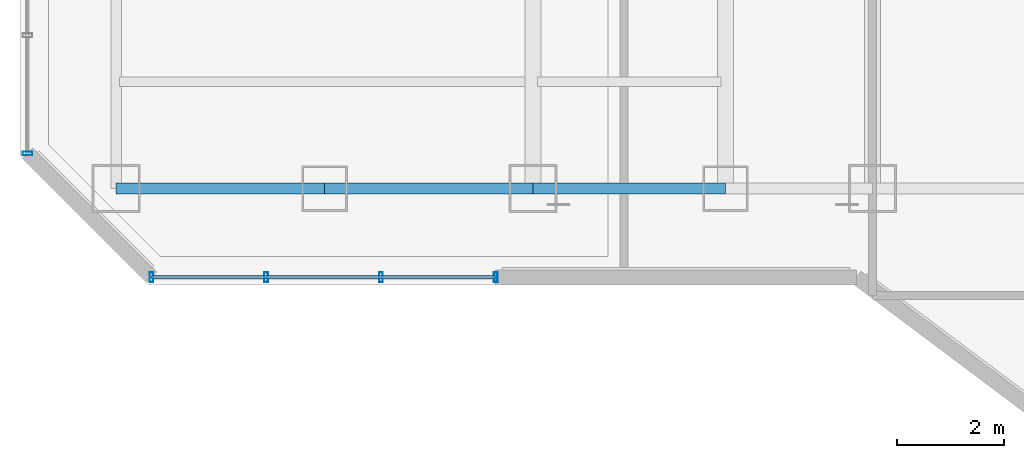
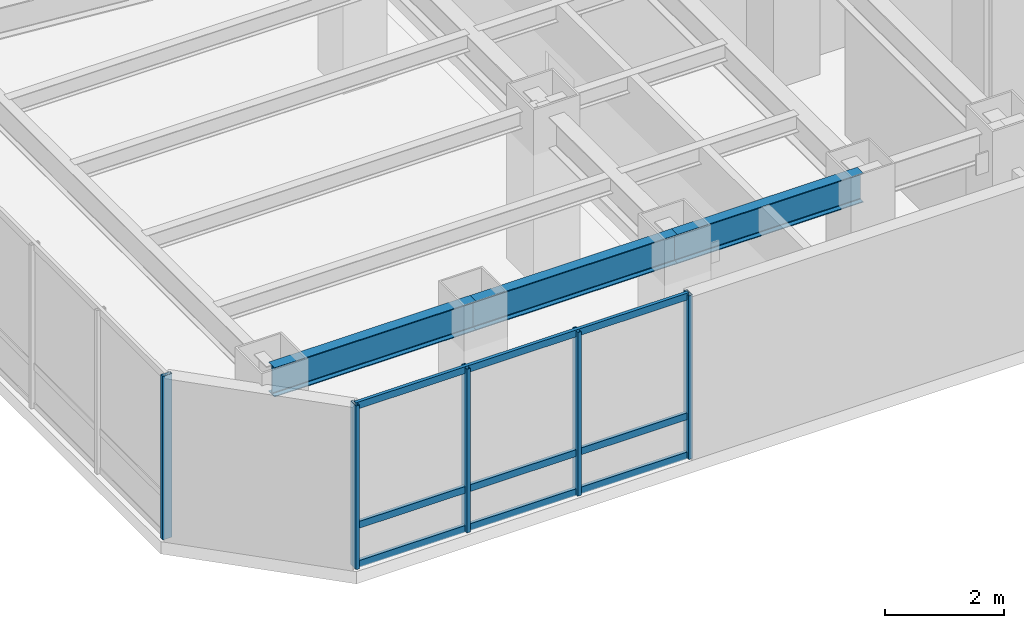
# One storey, part 2 of 29: 8 members, 3 beams, 2 elements without a shape of their own.
"""IFC4 building model written with IfcOpenShell, lengths in metres."""

import ifcopenshell
import ifcopenshell.guid

model = None  # the IFC model being written
_history = None  # IfcOwnerHistory: only IFC2X3 demands one
_inside = {}  # id of a spatial element -> (the spatial element, [elements in it])
_under = {}  # id of a project, library or spatial element -> (it, [spatial elements below it])
_declared = {}  # id of a project -> (the project, [libraries it declares])
_typed = {}  # id of a type object -> (the type object, [elements of that type])
_made_of = {}  # id of a material, layer set ... -> (it, [elements and type objects made of it])


def new_model(schema):
    """Start an empty IFC model of exactly this schema.

    Asked for "IFC4X3", IfcOpenShell would pick the latest addendum, in which some entities
    have other attributes; the version numbers below select the first issue.
    IFC2X3 requires an IfcOwnerHistory on every rooted entity: one is made here for all.
    """
    global model, _history
    if schema == "IFC4X3":
        model = ifcopenshell.file(schema_version=(4, 3, 0, 0))
    else:
        model = ifcopenshell.file(schema=schema)
    _inside.clear()
    _under.clear()
    _declared.clear()
    _typed.clear()
    _made_of.clear()
    _history = None
    if model.schema == "IFC2X3":
        org = make("IfcOrganization", Name="unknown")
        user = make(
            "IfcPersonAndOrganization",
            ThePerson=make("IfcPerson", FamilyName="unknown"),
            TheOrganization=org,
        )
        app = make(
            "IfcApplication",
            ApplicationDeveloper=org,
            Version="unknown",
            ApplicationFullName="unknown",
            ApplicationIdentifier="unknown",
        )
        _history = make(
            "IfcOwnerHistory",
            OwningUser=user,
            OwningApplication=app,
            ChangeAction="ADDED",
            CreationDate=0,
        )
    return model


def make(cls, **values):
    """One entity of the class cls with the attributes given. An attribute that is None is left unset."""
    return model.create_entity(
        cls, **{name: value for name, value in values.items() if value is not None}
    )


def rooted(cls, **values):
    """An entity with a GlobalId (a new one), such as an element, a storey or a relation."""
    return make(cls, GlobalId=ifcopenshell.guid.new(), OwnerHistory=_history, **values)


def si_unit(unit_type, name, prefix=None):
    """IfcSIUnit, for example si_unit("LENGTHUNIT", "METRE", prefix="MILLI")."""
    return make("IfcSIUnit", UnitType=unit_type, Prefix=prefix, Name=name)


def assignment(units):
    """IfcUnitAssignment: the units of a project."""
    return None if units is None else make("IfcUnitAssignment", Units=units)


def point(xyz):
    """IfcCartesianPoint."""
    return None if xyz is None else make("IfcCartesianPoint", Coordinates=xyz)


def direction(xyz):
    """IfcDirection."""
    return None if xyz is None else make("IfcDirection", DirectionRatios=xyz)


def frame(location, z_axis=None, x_axis=None):
    """IfcAxis2Placement3D, a coordinate frame: its origin and axes. An axis left out is left unset."""
    return make(
        "IfcAxis2Placement3D",
        Location=point(location),
        Axis=direction(z_axis),
        RefDirection=direction(x_axis),
    )


def frame_2d(location, x_axis=None):
    """IfcAxis2Placement2D, a coordinate frame in the plane: its origin and x axis."""
    return make(
        "IfcAxis2Placement2D", Location=point(location), RefDirection=direction(x_axis)
    )


def origin():
    """The frame at (0, 0, 0) with its axes left unset."""
    return frame((0.0, 0.0, 0.0))


def origin_2d():
    """The frame at (0, 0) in the plane with its x axis left unset."""
    return frame_2d((0.0, 0.0))


def place(relative_to, where):
    """IfcLocalPlacement: puts the frame where relative to a parent placement (None: the world)."""
    return make(
        "IfcLocalPlacement", PlacementRelTo=relative_to, RelativePlacement=where
    )


def context(
    kind, dimensions, precision=None, world=None, true_north=None, identifier=None
):
    """IfcGeometricRepresentationContext, for example the 3D "Model" context."""
    return make(
        "IfcGeometricRepresentationContext",
        ContextIdentifier=identifier,
        ContextType=kind,
        CoordinateSpaceDimension=dimensions,
        Precision=precision,
        WorldCoordinateSystem=world,
        TrueNorth=true_north,
    )


def subcontext(parent, identifier, kind, view, scale=None):
    """IfcGeometricRepresentationSubContext, for example "Body" below "Model"."""
    return make(
        "IfcGeometricRepresentationSubContext",
        ContextIdentifier=identifier,
        ContextType=kind,
        ParentContext=parent,
        TargetScale=scale,
        TargetView=view,
    )


def project(units=None, contexts=None):
    """IfcProject with its units and contexts."""
    return rooted(
        "IfcProject",
        Name="project",
        RepresentationContexts=contexts,
        UnitsInContext=assignment(units),
    )


def spatial(cls, under=None, at=None, **own):
    """A site, building, storey or space (cls), placed at a placement, below another one or the project."""
    s = rooted(cls, ObjectPlacement=at, **own)
    if under is not None:
        _under.setdefault(under.id(), (under, []))[1].append(s)
    return s


def profile(cls, at=None, kind="AREA", **sizes):
    """A parametric profile (cls). Its sizes go by their IFC names, for example OverallWidth=200.0."""
    return make(cls, ProfileType=kind, Position=at, **sizes)


def hollow_rectangle(**sizes):
    """IfcRectangleHollowProfileDef."""
    return profile("IfcRectangleHollowProfileDef", **sizes)


def i_section(**sizes):
    """IfcIShapeProfileDef."""
    return profile("IfcIShapeProfileDef", **sizes)


def extrude(swept, where, along, depth):
    """IfcExtrudedAreaSolid: the profile swept, set in the frame where, extruded along a direction by depth."""
    return make(
        "IfcExtrudedAreaSolid",
        SweptArea=swept,
        Position=where,
        ExtrudedDirection=direction(along),
        Depth=depth,
    )


def shape(context_of_items, identifier, shape_type, items):
    """IfcShapeRepresentation: the items that make up one representation, for example the "Body"."""
    return make(
        "IfcShapeRepresentation",
        ContextOfItems=context_of_items,
        RepresentationIdentifier=identifier,
        RepresentationType=shape_type,
        Items=items,
    )


def material(Name=None, Category=None):
    """IfcMaterial."""
    return make("IfcMaterial", Name=Name, Category=Category)


def layer(
    of_material, thickness, ventilated=None, Name=None, Category=None, Priority=None
):
    """IfcMaterialLayer: one layer of a wall or slab, of a material (None: an air gap)."""
    return make(
        "IfcMaterialLayer",
        Material=of_material,
        LayerThickness=thickness,
        IsVentilated=ventilated,
        Name=Name,
        Category=Category,
        Priority=Priority,
    )


def layer_set(layers, Name=None):
    """IfcMaterialLayerSet."""
    return make("IfcMaterialLayerSet", MaterialLayers=layers, LayerSetName=Name)


def material_profile(
    of_material, cross_section, Name=None, Category=None, Priority=None
):
    """IfcMaterialProfile: a cross section and its material."""
    return make(
        "IfcMaterialProfile",
        Name=Name,
        Material=of_material,
        Profile=cross_section,
        Priority=Priority,
        Category=Category,
    )


def profile_set(profiles, Name=None, composite=None):
    """IfcMaterialProfileSet."""
    return make(
        "IfcMaterialProfileSet",
        Name=Name,
        MaterialProfiles=profiles,
        CompositeProfile=composite,
    )


def made_of(thing, what):
    """Note that an element or type object is made of a material, layer set ...; save() writes the relation."""
    if what is not None:
        _made_of.setdefault(what.id(), (what, []))[1].append(thing)
    return thing


def type_object(cls, material=None, **own):
    """A type object (cls), such as IfcWallType, which elements share."""
    return made_of(rooted(cls, **own), material)


def element(
    cls,
    number,
    at=None,
    inside=None,
    cuts=None,
    type_object=None,
    material=None,
    context=None,
    identifier="Body",
    shape_type=None,
    held_by="IfcProductDefinitionShape",
    body=None,
    shapes=None,
    **own,
):
    """One element of the class cls, such as IfcWall. Its Tag is "e" and its number.

    at: its placement. inside: the storey or other place that contains it. cuts: it is an
    opening in that element (IfcRelVoidsElement). A single representation is given by context,
    identifier, shape_type and body (its items); several are given by shapes. held_by: the class
    of the entity that holds the representations. save() writes the other relations.
    """
    e = rooted(cls, Tag="e%d" % number, ObjectPlacement=at, **own)
    if body is not None:
        shapes = [shape(context, identifier, shape_type, body)]
    if shapes is not None:
        e.Representation = make(held_by, Representations=shapes)
    if inside is not None:
        _inside.setdefault(inside.id(), (inside, []))[1].append(e)
    if cuts is not None:
        rooted(
            "IfcRelVoidsElement", RelatingBuildingElement=cuts, RelatedOpeningElement=e
        )
    if type_object is not None:
        _typed.setdefault(type_object.id(), (type_object, []))[1].append(e)
    return made_of(e, material)


def aggregate(whole, parts):
    """IfcRelAggregates: a whole, such as a stair, and the parts it consists of."""
    return rooted("IfcRelAggregates", RelatingObject=whole, RelatedObjects=parts)


def save(model, path):
    """Write the relations noted so far, then the file.

    IfcRelAggregates (storeys below a building ...), IfcRelContainedInSpatialStructure (elements
    in a storey), IfcRelDefinesByType, IfcRelAssociatesMaterial and IfcRelDeclares: one each for
    every whole, place, type object, material and project.
    """
    for whole, parts in _under.values():
        aggregate(whole, parts)
    for where, things in _inside.values():
        rooted(
            "IfcRelContainedInSpatialStructure",
            RelatedElements=things,
            RelatingStructure=where,
        )
    for kind, things in _typed.values():
        rooted("IfcRelDefinesByType", RelatedObjects=things, RelatingType=kind)
    for what, things in _made_of.values():
        rooted("IfcRelAssociatesMaterial", RelatedObjects=things, RelatingMaterial=what)
    for by, libraries in _declared.values():
        rooted("IfcRelDeclares", RelatingContext=by, RelatedDefinitions=libraries)
    model.write(path)


model = new_model("IFC4")

# Units and contexts
model_context = context("Model", 3, precision=1e-05, world=origin(), true_north=direction((0.0, 1.0)))
body_context = subcontext(model_context, "Body", "Model", "MODEL_VIEW")
ifc_project = project(units=[si_unit("LENGTHUNIT", "METRE"), si_unit("AREAUNIT", "SQUARE_METRE"), si_unit("VOLUMEUNIT", "CUBIC_METRE"), si_unit("PLANEANGLEUNIT", "RADIAN"), si_unit("MASSUNIT", "GRAM", prefix="KILO")], contexts=[model_context])

# Site, building, storey
site_placement = place(None, origin())
site = spatial("IfcSite", under=ifc_project, at=site_placement, CompositionType="ELEMENT")
building_placement = place(site_placement, origin())
building = spatial("IfcBuilding", under=site, at=building_placement, Name="Hatsunagi Terrace Concourse", CompositionType="ELEMENT")
storey_placement = place(building_placement, frame((0.0, 0.0, 115.64990234375)))
storey = spatial("IfcBuildingStorey", under=building, at=storey_placement, Name="L30", CompositionType="ELEMENT", Elevation=115.64990234375)

# Curtain wall, members
ifc_material_1 = material(Name="Anodised Aluminium Alloy 6063-T5", Category="aluminium")
ifc_layer = layer(ifc_material_1, 0.199951171875)
ifc_layer_set = layer_set([ifc_layer], Name="OfficeZone1_CW03")
curtain_wall_type = type_object("IfcCurtainWallType", Name="OfficeZone1_CW03", PredefinedType="NOTDEFINED", material=ifc_layer_set)
curtain_wall_1_placement = place(storey_placement, origin())
curtain_wall_1 = element("IfcCurtainWall", 1, at=curtain_wall_1_placement, inside=storey, type_object=curtain_wall_type, Name="Unitised Curtain Wall CW-03 CW-L30-07", PredefinedType="NOTDEFINED")
ifc_material_2 = material(Name="Anodised Aluminium Alloy 6063-T5", Category="aluminium")
ifc_material_profile_1 = material_profile(ifc_material_2, hollow_rectangle(XDim=0.070068359375, YDim=0.179931640625, WallThickness=0.00390625, at=origin_2d()), Name="ALU-MUL-180x70x4")
ifc_profile_set_1 = profile_set([ifc_material_profile_1], Name="Anodised Aluminium Alloy 6063-T5")
member_type_1 = type_object("IfcMemberType", Name="CurtainWallMullion_180x70", PredefinedType="MULLION", material=ifc_profile_set_1)
member_1_placement = place(storey_placement, frame((18.5, 23.5400390625, 0.0), z_axis=(0.0, 0.0, 1.0), x_axis=(-1.0, 0.0, 0.0)))
member_1 = element("IfcMember", 2, at=member_1_placement, type_object=member_type_1, Name="Curtain Wall Mullion MUL-02", PredefinedType="MULLION", context=body_context, shape_type="SweptSolid", body=[
    extrude(hollow_rectangle(XDim=0.070068359375, YDim=0.179931640625, WallThickness=0.00390625, at=origin_2d()), origin(), (0.0, 0.0, 1.0), 3.35009765625),
])
member_2_placement = place(storey_placement, frame((16.35302734375, 23.5400390625, 0.0), z_axis=(0.0, 0.0, 1.0), x_axis=(-1.0, 0.0, 0.0)))
member_2 = element("IfcMember", 3, at=member_2_placement, type_object=member_type_1, Name="Curtain Wall Mullion MUL-02", PredefinedType="MULLION", context=body_context, shape_type="SweptSolid", body=[
    extrude(hollow_rectangle(XDim=0.070068359375, YDim=0.179931640625, WallThickness=0.00390625, at=origin_2d()), origin(), (0.0, 0.0, 1.0), 3.35009765625),
])
member_3_placement = place(storey_placement, frame((14.205078125, 23.5400390625, 0.0), z_axis=(0.0, 0.0, 1.0), x_axis=(-1.0, 0.0, 0.0)))
member_3 = element("IfcMember", 4, at=member_3_placement, type_object=member_type_1, Name="Curtain Wall Mullion MUL-02", PredefinedType="MULLION", context=body_context, shape_type="SweptSolid", body=[
    extrude(hollow_rectangle(XDim=0.070068359375, YDim=0.179931640625, WallThickness=0.00390625, at=origin_2d()), origin(), (0.0, 0.0, 1.0), 3.35009765625),
])
member_4_placement = place(storey_placement, frame((12.05810546875, 23.5400390625, 0.0), z_axis=(0.0, 0.0, 1.0), x_axis=(-1.0, 0.0, 0.0)))
member_4 = element("IfcMember", 5, at=member_4_placement, type_object=member_type_1, Name="Curtain Wall Mullion MUL-02", PredefinedType="MULLION", context=body_context, shape_type="SweptSolid", body=[
    extrude(hollow_rectangle(XDim=0.070068359375, YDim=0.179931640625, WallThickness=0.00390625, at=origin_2d()), origin(), (0.0, 0.0, 1.0), 3.35009765625),
])

# Curtain wall, member
curtain_wall_2_placement = place(storey_placement, origin())
curtain_wall_2 = element("IfcCurtainWall", 6, at=curtain_wall_2_placement, inside=storey, type_object=curtain_wall_type, Name="Unitised Curtain Wall CW-03 CW-L30-09", PredefinedType="NOTDEFINED")
member_5_placement = place(storey_placement, frame((9.739990234375, 25.85791015625, 0.0), z_axis=(0.0, 0.0, 1.0), x_axis=(0.0, 1.0, 0.0)))
member_5 = element("IfcMember", 7, at=member_5_placement, type_object=member_type_1, Name="Curtain Wall Mullion MUL-02", PredefinedType="MULLION", context=body_context, shape_type="SweptSolid", body=[
    extrude(hollow_rectangle(XDim=0.070068359375, YDim=0.179931640625, WallThickness=0.00390625, at=origin_2d()), origin(), (0.0, 0.0, 1.0), 3.35009765625),
])
aggregate(curtain_wall_2, [member_5])

# Member
ifc_material_3 = material(Name="Anodised Aluminium Alloy 6063-T5", Category="aluminium")
ifc_material_profile_2 = material_profile(ifc_material_3, hollow_rectangle(XDim=0.06494140625, YDim=0.139892578125, WallThickness=0.00390625, at=origin_2d()), Name="ALU-TRN-140x65x4")
ifc_profile_set_2 = profile_set([ifc_material_profile_2], Name="Anodised Aluminium Alloy 6063-T5")
member_type_2 = type_object("IfcMemberType", Name="CurtainWallTransom_140x65", PredefinedType="USERDEFINED", material=ifc_profile_set_2)
member_6_placement = place(storey_placement, frame((18.5, 23.5400390625, 0.050048828125), z_axis=(-1.0, 0.0, 0.0), x_axis=(0.0, -1.0, 0.0)))
member_6 = element("IfcMember", 8, at=member_6_placement, type_object=member_type_2, Name="Curtain Wall Transom TRN-02", ObjectType="TRANSOM", PredefinedType="USERDEFINED", context=body_context, shape_type="SweptSolid", body=[
    extrude(hollow_rectangle(XDim=0.06494140625, YDim=0.139892578125, WallThickness=0.00390625, at=origin_2d()), origin(), (0.0, 0.0, 1.0), 6.44189453125),
])

member_7_placement = place(storey_placement, frame((18.5, 23.5400390625, 0.85009765625), z_axis=(-1.0, 0.0, 0.0), x_axis=(0.0, -1.0, 0.0)))
member_7 = element("IfcMember", 9, at=member_7_placement, type_object=member_type_2, Name="Curtain Wall Transom TRN-02", ObjectType="TRANSOM", PredefinedType="USERDEFINED", context=body_context, shape_type="SweptSolid", body=[
    extrude(hollow_rectangle(XDim=0.06494140625, YDim=0.139892578125, WallThickness=0.00390625, at=origin_2d()), origin(), (0.0, 0.0, 1.0), 6.44189453125),
])

member_8_placement = place(storey_placement, frame((18.5, 23.5400390625, 3.300048828125), z_axis=(-1.0, 0.0, 0.0), x_axis=(0.0, -1.0, 0.0)))
member_8 = element("IfcMember", 10, at=member_8_placement, type_object=member_type_2, Name="Curtain Wall Transom TRN-02", ObjectType="TRANSOM", PredefinedType="USERDEFINED", context=body_context, shape_type="SweptSolid", body=[
    extrude(hollow_rectangle(XDim=0.06494140625, YDim=0.139892578125, WallThickness=0.00390625, at=origin_2d()), origin(), (0.0, 0.0, 1.0), 6.44189453125),
])

aggregate(curtain_wall_1, [member_1, member_2, member_3, member_4, member_6, member_7, member_8])

# Beams
ifc_material_4 = material(Name="Steel SN490B", Category="steel")
ifc_material_profile_3 = material_profile(ifc_material_4, i_section(OverallWidth=0.199951171875, OverallDepth=0.60009765625, WebThickness=0.010986328125, FlangeThickness=0.01708984375, FilletRadius=0.01806640625, at=origin_2d()), Name="H-600x200x11x17")
ifc_profile_set_3 = profile_set([ifc_material_profile_3], Name="Steel SN490B")
beam_type = type_object("IfcBeamType", Name="PerimeterSpandrel_H_600x200", PredefinedType="SPANDREL", material=ifc_profile_set_3)
beam_1_placement = place(storey_placement, frame((11.39990234375, 25.199951171875, 3.050048828125), z_axis=(1.0, 0.0, 0.0), x_axis=(0.0, 1.0, 0.0)))
element("IfcBeam", 11, at=beam_1_placement, inside=storey, type_object=beam_type, Name="Beam SP-01 BM-L30-WS-11", PredefinedType="SPANDREL", context=body_context, shape_type="SweptSolid", body=[
    extrude(i_section(OverallWidth=0.199951171875, OverallDepth=0.60009765625, WebThickness=0.010986328125, FlangeThickness=0.01708984375, FilletRadius=0.01806640625, at=origin_2d()), origin(), (0.0, 0.0, 1.0), 3.900146484375),
])
beam_2_placement = place(storey_placement, frame((15.300048828125, 25.199951171875, 3.050048828125), z_axis=(1.0, 0.0, 0.0), x_axis=(0.0, 1.0, 0.0)))
element("IfcBeam", 12, at=beam_2_placement, inside=storey, type_object=beam_type, Name="Beam SP-01 BM-L30-WS-15", PredefinedType="SPANDREL", context=body_context, shape_type="SweptSolid", body=[
    extrude(i_section(OverallWidth=0.199951171875, OverallDepth=0.60009765625, WebThickness=0.010986328125, FlangeThickness=0.01708984375, FilletRadius=0.01806640625, at=origin_2d()), origin(), (0.0, 0.0, 1.0), 3.89990234375),
])
beam_3_placement = place(storey_placement, frame((19.199951171875, 25.199951171875, 3.050048828125), z_axis=(1.0, 0.0, 0.0), x_axis=(0.0, 1.0, 0.0)))
element("IfcBeam", 13, at=beam_3_placement, inside=storey, type_object=beam_type, Name="Beam SP-01 BM-L30-WS-19", PredefinedType="SPANDREL", context=body_context, shape_type="SweptSolid", body=[
    extrude(i_section(OverallWidth=0.199951171875, OverallDepth=0.60009765625, WebThickness=0.010986328125, FlangeThickness=0.01708984375, FilletRadius=0.01806640625, at=origin_2d()), origin(), (0.0, 0.0, 1.0), 3.60009765625),
])

save(model, "model.ifc")
